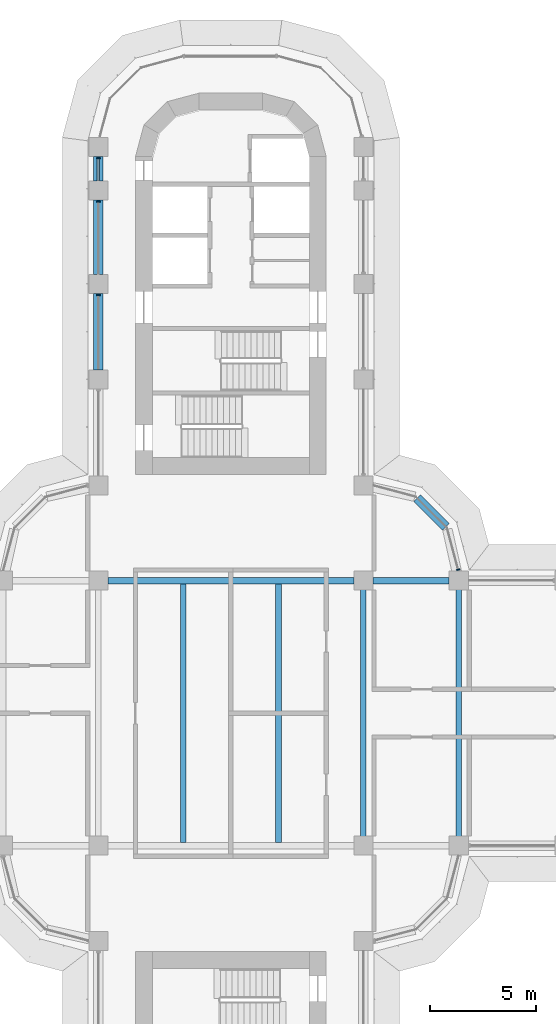
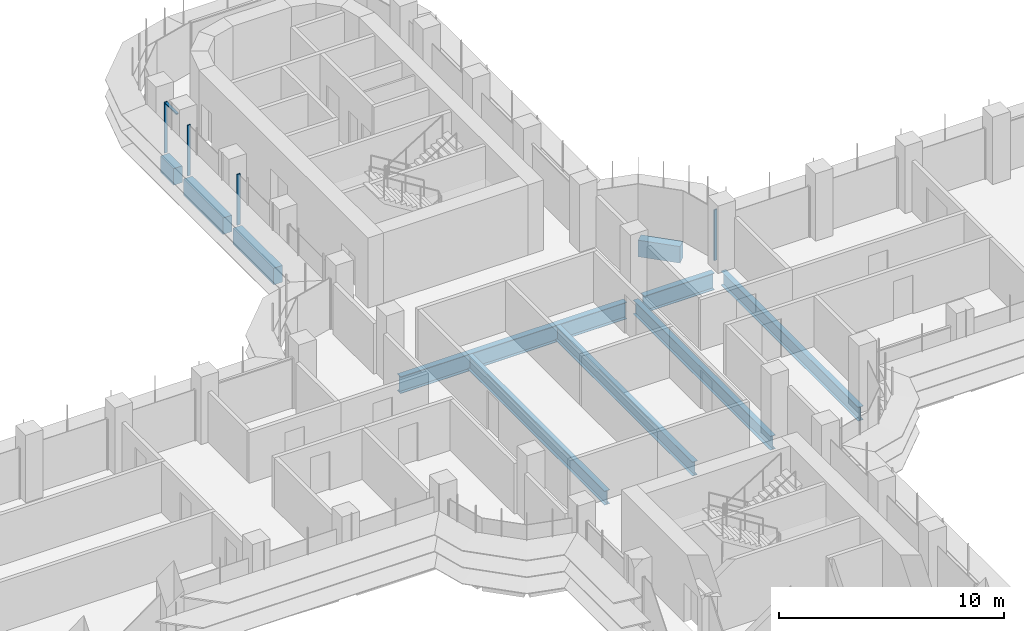
# One storey, part 7 of 22: 10 beams, 5 members, 2 elements without a shape of their own.
"""IFC4 building model written with IfcOpenShell, lengths in metres."""

from ifc_helpers import new_model, si_unit, direction, frame, origin, origin_2d, place, context, subcontext, project, spatial, polyline, rectangle, i_section, outline, extrude, source, transform, mapped, material, material_profile, profile_set, type_object, element, aggregate, save


model = new_model("IFC4")

# Units and contexts
model_context = context("Model", 3, precision=1e-05, world=origin(), true_north=direction((0.0, 1.0)))
body_context = subcontext(model_context, "Body", "Model", "MODEL_VIEW")
ifc_project = project(units=[si_unit("LENGTHUNIT", "METRE"), si_unit("AREAUNIT", "SQUARE_METRE"), si_unit("VOLUMEUNIT", "CUBIC_METRE"), si_unit("PLANEANGLEUNIT", "RADIAN"), si_unit("MASSUNIT", "GRAM", prefix="KILO")], contexts=[model_context])

# Site, building, storey
site_placement = place(None, origin())
site = spatial("IfcSite", under=ifc_project, at=site_placement, CompositionType="ELEMENT")
building_placement = place(site_placement, origin())
building = spatial("IfcBuilding", under=site, at=building_placement, Name="Zarbagh Exchange Tower", CompositionType="ELEMENT")
storey_placement = place(building_placement, frame((0.0, 0.0, 105.60009765625)))
storey = spatial("IfcBuildingStorey", under=building, at=storey_placement, Name="L24", CompositionType="ELEMENT", Elevation=105.60009765625)

# Beams
ifc_material_1 = material(Name="Steel ASTM A992 Gr 50", Category="steel")
ifc_material_profile_1 = material_profile(ifc_material_1, i_section(OverallWidth=0.2666015625, OverallDepth=0.7568359375, WebThickness=0.013916015625, FlangeThickness=0.019287109375, at=origin_2d()), Name="W30X108")
ifc_profile_set_1 = profile_set([ifc_material_profile_1], Name="Steel ASTM A992 Gr 50")
beam_type_1 = type_object("IfcBeamType", Name="Floor beam W30X108", PredefinedType="BEAM", material=ifc_profile_set_1)
for number, where, z_axis, x_axis, name in (
    (1, (-2.25, -6.09765625, -0.528564453125), (0.0, 1.0, 0.0), (-1.0, 0.0, 0.0), "Steel floor beam"),
    (2, (2.25, -6.09765625, -0.528564453125), (0.0, 1.0, 0.0), (-1.0, 0.0, 0.0), "Steel floor beam"),
    (3, (6.25, -6.09765625, -0.528564453125), (0.0, 1.0, 0.0), (-1.0, 0.0, 0.0), "Steel floor beam"),
    (4, (10.75, -6.09765625, -0.528564453125), (0.0, 1.0, 0.0), (-1.0, 0.0, 0.0), "Steel floor beam"),
):
    element("IfcBeam", number, at=place(storey_placement, frame(where, z_axis=z_axis, x_axis=x_axis)), inside=storey, type_object=beam_type_1, Name=name, PredefinedType="BEAM", context=body_context, shape_type="SweptSolid", body=[
        extrude(i_section(OverallWidth=0.2666015625, OverallDepth=0.7568359375, WebThickness=0.013916015625, FlangeThickness=0.019287109375, at=origin_2d()), origin(), (0.0, 0.0, 1.0), 12.1953125),
    ])
ifc_material_profile_2 = material_profile(ifc_material_1, i_section(OverallWidth=0.3046875, OverallDepth=0.911865234375, WebThickness=0.015869140625, FlangeThickness=0.02392578125, at=origin_2d()), Name="W36X150")
ifc_profile_set_2 = profile_set([ifc_material_profile_2], Name="Steel ASTM A992 Gr 50")
beam_type_2 = type_object("IfcBeamType", Name="Floor girder W36X150", PredefinedType="BEAM", material=ifc_profile_set_2)
beam_1_placement = place(storey_placement, frame((-5.800048828125, 6.25, -0.60595703125), z_axis=(1.0, 0.0, 0.0), x_axis=(0.0, 1.0, 0.0)))
element("IfcBeam", 5, at=beam_1_placement, inside=storey, type_object=beam_type_2, Name="Steel girder", PredefinedType="BEAM", context=body_context, shape_type="SweptSolid", body=[
    extrude(i_section(OverallWidth=0.3046875, OverallDepth=0.911865234375, WebThickness=0.015869140625, FlangeThickness=0.02392578125, at=origin_2d()), origin(), (0.0, 0.0, 1.0), 11.60009765625),
])
beam_2_placement = place(storey_placement, frame((6.699951171875, 6.25, -0.60595703125), z_axis=(1.0, 0.0, 0.0), x_axis=(0.0, 1.0, 0.0)))
element("IfcBeam", 6, at=beam_2_placement, inside=storey, type_object=beam_type_2, Name="Steel girder", PredefinedType="BEAM", context=body_context, shape_type="SweptSolid", body=[
    extrude(i_section(OverallWidth=0.3046875, OverallDepth=0.911865234375, WebThickness=0.015869140625, FlangeThickness=0.02392578125, at=origin_2d()), origin(), (0.0, 0.0, 1.0), 3.60009765625),
])
ifc_material_2 = material(Name="Concrete C60/75", Category="concrete")
ifc_material_profile_3 = material_profile(ifc_material_2, rectangle(XDim=0.449951171875, YDim=0.89990234375, at=origin_2d()), Name="RC spandrel beam 450 x 900 C60/75")
ifc_profile_set_3 = profile_set([ifc_material_profile_3], Name="Concrete C60/75")
beam_type_3 = type_object("IfcBeamType", Name="RC spandrel beam 450 x 900 C60/75", PredefinedType="SPANDREL", material=ifc_profile_set_3)
beam_3_placement = place(storey_placement, frame((-6.25, 16.199951171875, -0.60009765625), z_axis=(0.0, 1.0, 0.0), x_axis=(-1.0, 0.0, 0.0)))
element("IfcBeam", 7, at=beam_3_placement, inside=storey, type_object=beam_type_3, Name="RC spandrel beam", PredefinedType="SPANDREL", context=body_context, shape_type="SweptSolid", body=[
    extrude(rectangle(XDim=0.449951171875, YDim=0.89990234375, at=origin_2d()), origin(), (0.0, 0.0, 1.0), 3.60009765625),
])
beam_4_placement = place(storey_placement, frame((-6.25, 20.699951171875, -0.60009765625), z_axis=(0.0, 1.0, 0.0), x_axis=(-1.0, 0.0, 0.0)))
element("IfcBeam", 8, at=beam_4_placement, inside=storey, type_object=beam_type_3, Name="RC spandrel beam", PredefinedType="SPANDREL", context=body_context, shape_type="SweptSolid", body=[
    extrude(rectangle(XDim=0.449951171875, YDim=0.89990234375, at=origin_2d()), origin(), (0.0, 0.0, 1.0), 3.5),
])
beam_5_placement = place(storey_placement, frame((-6.25, 25.10009765625, -0.60009765625), z_axis=(0.0, 1.0, 0.0), x_axis=(-1.0, 0.0, 0.0)))
element("IfcBeam", 9, at=beam_5_placement, inside=storey, type_object=beam_type_3, Name="RC spandrel beam", PredefinedType="SPANDREL", context=body_context, shape_type="SweptSolid", body=[
    extrude(rectangle(XDim=0.449951171875, YDim=0.89990234375, at=origin_2d()), origin(), (0.0, 0.0, 1.0), 1.14990234375),
])
beam_6_placement = place(storey_placement, frame((8.78759765625, 10.15234375, -0.60009765625), z_axis=(0.707106781187, -0.707106781187, 0.0), x_axis=(0.707106781187, 0.707106781187, 0.0)))
element("IfcBeam", 10, at=beam_6_placement, inside=storey, type_object=beam_type_3, Name="RC spandrel beam", PredefinedType="SPANDREL", context=body_context, shape_type="SweptSolid", body=[
    extrude(rectangle(XDim=0.449951171875, YDim=0.89990234375, at=origin_2d()), origin(), (0.0, 0.0, 1.0), 1.929931640625),
])

# Curtain wall, member
ifc_material_3 = material(Name="Anodised aluminium frame and glazing", Category="aluminium")
curtain_wall_type = type_object("IfcCurtainWallType", Name="CWA Ribbon glazing, lower zones", PredefinedType="NOTDEFINED", material=ifc_material_3)
curtain_wall_1_placement = place(storey_placement, origin())
curtain_wall_1 = element("IfcCurtainWall", 11, at=curtain_wall_1_placement, inside=storey, type_object=curtain_wall_type, Name="CWA17 curtain wall", PredefinedType="NOTDEFINED")
ifc_material_4 = material(Name="Anodised aluminium frame", Category="aluminium")
member_type_1 = type_object("IfcMemberType", Name="MUA Mullion, anodised aluminium frame", PredefinedType="MULLION", material=ifc_material_4)
shared_shape_1 = source(origin(), body_context, "Body", "SweptSolid", [
    extrude(outline(polyline([(0.0, -0.080078125), (0.06005859375, -0.080078125), (0.06005859375, 0.080078125), (0.0, 0.080078125), (0.0, -0.080078125)])), origin(), (0.0, 0.0, 1.0), 2.75),
])
placement = place(storey_placement, origin())
member_1 = element("IfcMember", 12, at=placement, type_object=member_type_1, Name="CWA17 mullion 1.1", PredefinedType="MULLION", context=body_context, shape_type="MappedRepresentation", body=[
    mapped(shared_shape_1, transform((10.735107421875, 6.739990234375, 0.0), x_axis=(-0.258824779902, 0.965924289636, 0.0), y_axis=(-0.965924289636, -0.258824779902, 0.0), z_axis=(0.0, 0.0, 1.0))),
])
aggregate(curtain_wall_1, [member_1])

# Curtain wall, members
curtain_wall_2_placement = place(storey_placement, origin())
curtain_wall_2 = element("IfcCurtainWall", 13, at=curtain_wall_2_placement, inside=storey, type_object=curtain_wall_type, Name="CWA56 curtain wall", PredefinedType="NOTDEFINED")
member_2 = element("IfcMember", 14, at=placement, type_object=member_type_1, Name="CWA56 mullion 1.1", PredefinedType="MULLION", context=body_context, shape_type="MappedRepresentation", body=[
    mapped(shared_shape_1, transform((-6.25, 26.2099609375, 0.0), x_axis=(0.0, -1.0, 0.0), y_axis=(1.0, 0.0, 0.0), z_axis=(0.0, 0.0, 1.0))),
])
member_3 = element("IfcMember", 15, at=placement, type_object=member_type_1, Name="CWA56 mullion 2.1", PredefinedType="MULLION", context=body_context, shape_type="MappedRepresentation", body=[
    mapped(shared_shape_1, transform((-6.25, 24.159912109375, 0.0), x_axis=(0.0, -1.0, 0.0), y_axis=(1.0, 0.0, 0.0), z_axis=(0.0, 0.0, 1.0))),
])
member_4 = element("IfcMember", 16, at=placement, type_object=member_type_1, Name="CWA56 mullion 3.1", PredefinedType="MULLION", context=body_context, shape_type="MappedRepresentation", body=[
    mapped(shared_shape_1, transform((-6.25, 19.760009765625, 0.0), x_axis=(0.0, -1.0, 0.0), y_axis=(1.0, 0.0, 0.0), z_axis=(0.0, 0.0, 1.0))),
])
member_type_2 = type_object("IfcMemberType", Name="TRA Transom, anodised aluminium frame", PredefinedType="USERDEFINED", material=ifc_material_4)
shared_shape_2 = source(origin(), body_context, "Body", "SweptSolid", [
    extrude(outline(polyline([(-0.06005859375, -0.06005859375), (0.0, -0.06005859375), (0.0, 0.06005859375), (-0.06005859375, 0.06005859375), (-0.06005859375, -0.06005859375)])), origin(), (0.0, 0.0, 1.0), 1.010009765625),
])
member_5 = element("IfcMember", 17, at=placement, type_object=member_type_2, Name="CWA56 transom 1.1", ObjectType="TRANSOM", PredefinedType="USERDEFINED", context=body_context, shape_type="MappedRepresentation", body=[
    mapped(shared_shape_2, transform((-6.25, 26.14990234375, 2.75), x_axis=(0.0, 0.0, 1.0), y_axis=(-1.0, 0.0, 0.0), z_axis=(0.0, -1.0, 0.0))),
])
aggregate(curtain_wall_2, [member_2, member_5, member_3, member_4])

save(model, "model.ifc")
